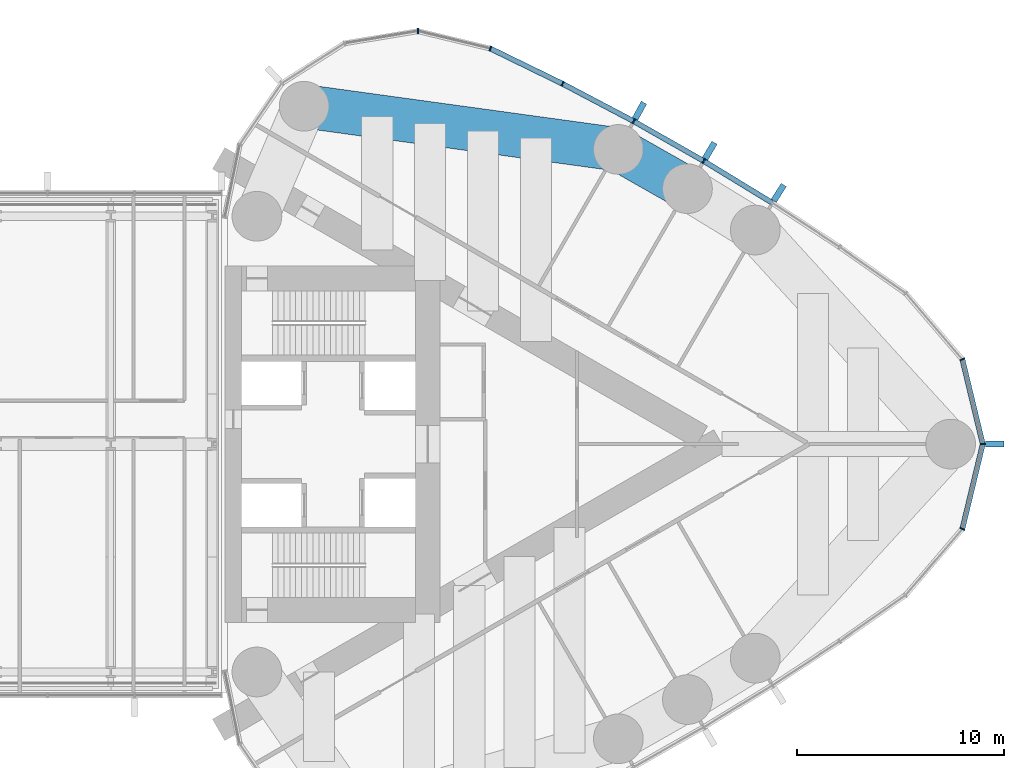
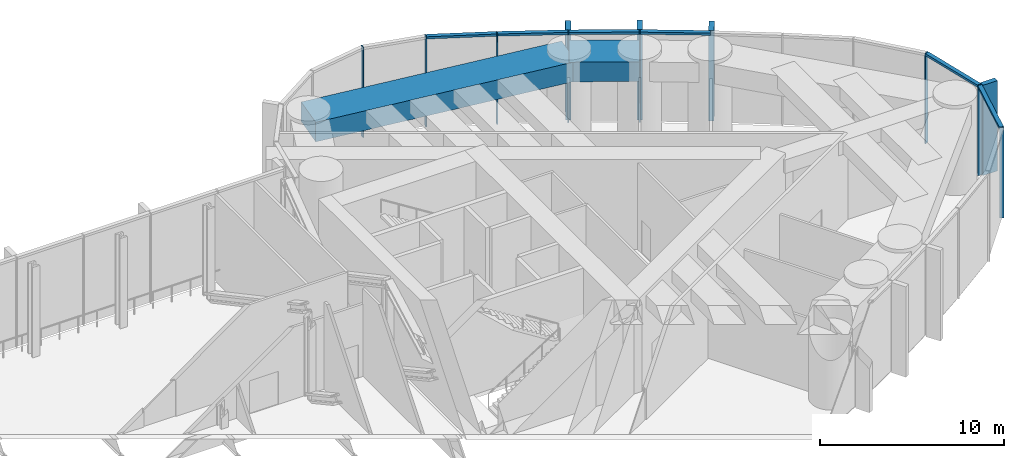
# One storey, part 12 of 21: 18 members, 2 beams, 1 element without a shape of its own.
"""IFC4 building model written with IfcOpenShell, lengths in metres."""

from ifc_helpers import new_model, si_unit, direction, frame, origin, origin_2d, place, context, subcontext, project, spatial, rectangle, extrude, material, material_profile, profile_set, type_object, element, aggregate, save


model = new_model("IFC4")

# Units and contexts
model_context = context("Model", 3, precision=1e-05, world=origin(), true_north=direction((0.0, 1.0)))
body_context = subcontext(model_context, "Body", "Model", "MODEL_VIEW")
ifc_project = project(units=[si_unit("LENGTHUNIT", "METRE"), si_unit("AREAUNIT", "SQUARE_METRE"), si_unit("VOLUMEUNIT", "CUBIC_METRE"), si_unit("PLANEANGLEUNIT", "RADIAN"), si_unit("MASSUNIT", "GRAM", prefix="KILO")], contexts=[model_context])

# Site, building, storey
site_placement = place(None, origin())
site = spatial("IfcSite", under=ifc_project, at=site_placement, CompositionType="ELEMENT")
building_placement = place(site_placement, origin())
building = spatial("IfcBuilding", under=site, at=building_placement, Name="Lancet Gate Hotel", CompositionType="ELEMENT")
storey_placement = place(building_placement, frame((0.0, 0.0, 257.300048828125)))
storey = spatial("IfcBuildingStorey", under=building, at=storey_placement, Name="L68", CompositionType="ELEMENT", Elevation=257.300048828125)

# Curtain wall, members
ifc_material_1 = material(Name="Aluminium curtain wall", Category="aluminium")
curtain_wall_type = type_object("IfcCurtainWallType", Name="Sky deck full-height glazing", PredefinedType="USERDEFINED", material=ifc_material_1)
curtain_wall_placement = place(storey_placement, origin())
curtain_wall = element("IfcCurtainWall", 1, at=curtain_wall_placement, inside=storey, type_object=curtain_wall_type, Name="T2 L68 curtain wall 1", ObjectType="UNITISED CURTAIN WALL", PredefinedType="USERDEFINED")
ifc_material_2 = material(Name="Aluminium mullion", Category="aluminium")
ifc_material_profile_1 = material_profile(ifc_material_2, rectangle(XDim=0.06494140625, YDim=0.25, at=origin_2d()), Name="MULLION 65x250")
ifc_profile_set_1 = profile_set([ifc_material_profile_1], Name="Aluminium mullion")
member_type_1 = type_object("IfcMemberType", Name="Aluminium mullion 65x250", PredefinedType="MULLION", material=ifc_profile_set_1)
member_1_placement = place(storey_placement, frame((63.1064453125, -4.09375, 0.0), z_axis=(0.0, 0.0, 1.0), x_axis=(0.454852851296, 0.890566608215, 0.0)))
member_1 = element("IfcMember", 2, at=member_1_placement, type_object=member_type_1, Name="T2 L68 curtain wall 1 mullion 13", PredefinedType="MULLION", context=body_context, shape_type="SweptSolid", body=[
    extrude(rectangle(XDim=0.06494140625, YDim=0.25, at=origin_2d()), origin(), (0.0, 0.0, 1.0), 6.0),
])
member_2_placement = place(storey_placement, frame((64.09130859375, 0.0, 0.0), z_axis=(0.0, 0.0, 1.0), x_axis=(0.0, 1.0, 0.0)))
member_2 = element("IfcMember", 3, at=member_2_placement, type_object=member_type_1, Name="T2 L68 curtain wall 1 mullion 14", PredefinedType="MULLION", context=body_context, shape_type="SweptSolid", body=[
    extrude(rectangle(XDim=0.06494140625, YDim=0.25, at=origin_2d()), origin(), (0.0, 0.0, 1.0), 6.0),
])
member_3_placement = place(storey_placement, frame((63.1064453125, 4.09375, 0.0), z_axis=(0.0, 0.0, 1.0), x_axis=(-0.454852851296, 0.890566608215, 0.0)))
member_3 = element("IfcMember", 4, at=member_3_placement, type_object=member_type_1, Name="T2 L68 curtain wall 1 mullion 15", PredefinedType="MULLION", context=body_context, shape_type="SweptSolid", body=[
    extrude(rectangle(XDim=0.06494140625, YDim=0.25, at=origin_2d()), origin(), (0.0, 0.0, 1.0), 6.0),
])
member_4_placement = place(storey_placement, frame((50.62060546875, 13.667236328125, 0.0), z_axis=(0.0, 0.0, 1.0), x_axis=(-0.861691755738, 0.507432082247, 0.0)))
member_4 = element("IfcMember", 5, at=member_4_placement, type_object=member_type_1, Name="T2 L68 curtain wall 1 mullion 19", PredefinedType="MULLION", context=body_context, shape_type="SweptSolid", body=[
    extrude(rectangle(XDim=0.06494140625, YDim=0.25, at=origin_2d()), origin(), (0.0, 0.0, 1.0), 6.0),
])
member_5_placement = place(storey_placement, frame((47.24365234375, 15.585205078125, 0.0), z_axis=(0.0, 0.0, 1.0), x_axis=(-0.877194589488, 0.480135035352, 0.0)))
member_5 = element("IfcMember", 6, at=member_5_placement, type_object=member_type_1, Name="T2 L68 curtain wall 1 mullion 20", PredefinedType="MULLION", context=body_context, shape_type="SweptSolid", body=[
    extrude(rectangle(XDim=0.06494140625, YDim=0.25, at=origin_2d()), origin(), (0.0, 0.0, 1.0), 6.0),
])
member_6_placement = place(storey_placement, frame((43.80810546875, 17.396240234375, 0.0), z_axis=(0.0, 0.0, 1.0), x_axis=(-0.891832977257, 0.452364831389, 0.0)))
member_6 = element("IfcMember", 7, at=member_6_placement, type_object=member_type_1, Name="T2 L68 curtain wall 1 mullion 21", PredefinedType="MULLION", context=body_context, shape_type="SweptSolid", body=[
    extrude(rectangle(XDim=0.06494140625, YDim=0.25, at=origin_2d()), origin(), (0.0, 0.0, 1.0), 6.0),
])
member_7_placement = place(storey_placement, frame((40.3173828125, 19.098388671875, 0.0), z_axis=(0.0, 0.0, 1.0), x_axis=(-0.939483740419, 0.342593493061, 0.0)))
member_7 = element("IfcMember", 8, at=member_7_placement, type_object=member_type_1, Name="T2 L68 curtain wall 1 mullion 22", PredefinedType="MULLION", context=body_context, shape_type="SweptSolid", body=[
    extrude(rectangle(XDim=0.06494140625, YDim=0.25, at=origin_2d()), origin(), (0.0, 0.0, 1.0), 6.0),
])
member_8_placement = place(storey_placement, frame((36.826171875, 19.942138671875, 0.0), z_axis=(0.0, 0.0, 1.0), x_axis=(-0.999342744911, 0.03625021647, 0.0)))
member_8 = element("IfcMember", 9, at=member_8_placement, type_object=member_type_1, Name="T2 L68 curtain wall 1 mullion 23", PredefinedType="MULLION", context=body_context, shape_type="SweptSolid", body=[
    extrude(rectangle(XDim=0.06494140625, YDim=0.25, at=origin_2d()), origin(), (0.0, 0.0, 1.0), 6.0),
])
ifc_material_3 = material(Name="Aluminium transom", Category="aluminium")
ifc_material_profile_2 = material_profile(ifc_material_3, rectangle(XDim=0.25, YDim=0.14990234375, at=origin_2d()), Name="TRANSOM 250x150")
ifc_profile_set_2 = profile_set([ifc_material_profile_2], Name="Aluminium transom")
member_type_2 = type_object("IfcMemberType", Name="Aluminium transom 250x150", PredefinedType="USERDEFINED", material=ifc_profile_set_2)
member_9_placement = place(storey_placement, frame((63.114013671875, -4.06201171875, 5.925048828125), z_axis=(0.233920855872, 0.972255641891, 0.0), x_axis=(-0.972255641891, 0.233920855872, 0.0)))
member_9 = element("IfcMember", 10, at=member_9_placement, type_object=member_type_2, Name="T2 L68 curtain wall 1 transom 13", ObjectType="TRANSOM", PredefinedType="USERDEFINED", context=body_context, shape_type="SweptSolid", body=[
    extrude(rectangle(XDim=0.25, YDim=0.14990234375, at=origin_2d()), origin(), (0.0, 0.0, 1.0), 4.1455078125),
])
member_10_placement = place(storey_placement, frame((64.083740234375, 0.031494140625, 5.925048828125), z_axis=(-0.233920855872, 0.972255641891, 0.0), x_axis=(-0.972255641891, -0.233920855872, 0.0)))
member_10 = element("IfcMember", 11, at=member_10_placement, type_object=member_type_2, Name="T2 L68 curtain wall 1 transom 14", ObjectType="TRANSOM", PredefinedType="USERDEFINED", context=body_context, shape_type="SweptSolid", body=[
    extrude(rectangle(XDim=0.25, YDim=0.14990234375, at=origin_2d()), origin(), (0.0, 0.0, 1.0), 4.1455078125),
])
member_11_placement = place(storey_placement, frame((53.907958984375, 11.661376953125, 5.925048828125), z_axis=(-0.853638798527, 0.520865435261, 0.0), x_axis=(-0.520865435261, -0.853638798527, 0.0)))
member_11 = element("IfcMember", 12, at=member_11_placement, type_object=member_type_2, Name="T2 L68 curtain wall 1 transom 18", ObjectType="TRANSOM", PredefinedType="USERDEFINED", context=body_context, shape_type="SweptSolid", body=[
    extrude(rectangle(XDim=0.25, YDim=0.14990234375, at=origin_2d()), origin(), (0.0, 0.0, 1.0), 3.818603515625),
])
member_12_placement = place(storey_placement, frame((50.59228515625, 13.683349609375, 5.925048828125), z_axis=(-0.869562011924, 0.493823761496, 0.0), x_axis=(-0.493823761496, -0.869562011924, 0.0)))
member_12 = element("IfcMember", 13, at=member_12_placement, type_object=member_type_2, Name="T2 L68 curtain wall 1 transom 19", ObjectType="TRANSOM", PredefinedType="USERDEFINED", context=body_context, shape_type="SweptSolid", body=[
    extrude(rectangle(XDim=0.25, YDim=0.14990234375, at=origin_2d()), origin(), (0.0, 0.0, 1.0), 3.818603515625),
])
member_13_placement = place(storey_placement, frame((47.21484375, 15.600341796875, 5.925048828125), z_axis=(-0.884618491031, 0.466315478325, 0.0), x_axis=(-0.466315478325, -0.884618491031, 0.0)))
member_13 = element("IfcMember", 14, at=member_13_placement, type_object=member_type_2, Name="T2 L68 curtain wall 1 transom 20", ObjectType="TRANSOM", PredefinedType="USERDEFINED", context=body_context, shape_type="SweptSolid", body=[
    extrude(rectangle(XDim=0.25, YDim=0.14990234375, at=origin_2d()), origin(), (0.0, 0.0, 1.0), 3.81884765625),
])
member_14_placement = place(storey_placement, frame((43.77880859375, 17.410400390625, 5.925048828125), z_axis=(-0.898820051991, 0.438317823206, 0.0), x_axis=(-0.438317823206, -0.898820051991, 0.0)))
member_14 = element("IfcMember", 15, at=member_14_placement, type_object=member_type_2, Name="T2 L68 curtain wall 1 transom 21", ObjectType="TRANSOM", PredefinedType="USERDEFINED", context=body_context, shape_type="SweptSolid", body=[
    extrude(rectangle(XDim=0.25, YDim=0.14990234375, at=origin_2d()), origin(), (0.0, 0.0, 1.0), 3.81884765625),
])

# Beams
ifc_material_4 = material(Name="Concrete C50/60", Category="concrete")
ifc_material_profile_3 = material_profile(ifc_material_4, rectangle(XDim=2.10009765625, YDim=1.300048828125, at=origin_2d()), Name="RC 2100x1300")
ifc_profile_set_3 = profile_set([ifc_material_profile_3], Name="Concrete C50/60")
beam_type = type_object("IfcBeamType", Name="Edge beam RC 2100x1300", PredefinedType="SPANDREL", material=ifc_profile_set_3)
beam_1_placement = place(storey_placement, frame((49.833984375, 12.331787109375, 5.099853515625), z_axis=(-0.869560321562, 0.493826738001, 0.0), x_axis=(-0.493826738001, -0.869560321562, 0.0)))
element("IfcBeam", 16, at=beam_1_placement, inside=storey, type_object=beam_type, Name="T2 edge beam EB1 L68", PredefinedType="SPANDREL", context=body_context, shape_type="SweptSolid", body=[
    extrude(rectangle(XDim=2.10009765625, YDim=1.300048828125, at=origin_2d()), origin(), (0.0, 0.0, 1.0), 3.8349609375),
])
beam_2_placement = place(storey_placement, frame((46.499267578125, 14.2255859375, 5.099853515625), z_axis=(-0.990685830783, 0.13616748762, 0.0), x_axis=(-0.13616748762, -0.990685830783, 0.0)))
element("IfcBeam", 17, at=beam_2_placement, inside=storey, type_object=beam_type, Name="T2 edge beam EB1 L68", PredefinedType="SPANDREL", context=body_context, shape_type="SweptSolid", body=[
    extrude(rectangle(XDim=2.10009765625, YDim=1.300048828125, at=origin_2d()), origin(), (0.0, 0.0, 1.0), 15.3134765625),
])

# Member
ifc_material_5 = material(Name="Precast concrete C50/60", Category="concrete")
ifc_material_profile_4 = material_profile(ifc_material_5, rectangle(XDim=0.300048828125, YDim=0.89990234375, at=origin_2d()), Name="FIN 300x900")
ifc_profile_set_4 = profile_set([ifc_material_profile_4], Name="Precast concrete C50/60")
member_type_3 = type_object("IfcMemberType", Name="Exposed concrete fin 300x900", PredefinedType="USERDEFINED", material=ifc_profile_set_4)
member_15_placement = place(storey_placement, frame((64.66650390625, 0.0, 0.0), z_axis=(0.0, 0.0, 1.0), x_axis=(0.0, 1.0, 0.0)))
member_15 = element("IfcMember", 18, at=member_15_placement, type_object=member_type_3, Name="T2 L68 curtain wall 1 fin 14", ObjectType="FIN", PredefinedType="USERDEFINED", context=body_context, shape_type="SweptSolid", body=[
    extrude(rectangle(XDim=0.300048828125, YDim=0.89990234375, at=origin_2d()), origin(), (0.0, 0.0, 1.0), 6.0),
])

member_16_placement = place(storey_placement, frame((54.242919921875, 12.13037109375, 0.0), z_axis=(0.0, 0.0, 1.0), x_axis=(-0.845339753513, 0.534229071777, 0.0)))
member_16 = element("IfcMember", 19, at=member_16_placement, type_object=member_type_3, Name="T2 L68 curtain wall 1 fin 18", ObjectType="FIN", PredefinedType="USERDEFINED", context=body_context, shape_type="SweptSolid", body=[
    extrude(rectangle(XDim=0.300048828125, YDim=0.89990234375, at=origin_2d()), origin(), (0.0, 0.0, 1.0), 6.0),
])

member_17_placement = place(storey_placement, frame((50.912353515625, 14.162841796875, 0.0), z_axis=(0.0, 0.0, 1.0), x_axis=(-0.861691755738, 0.507432082247, 0.0)))
member_17 = element("IfcMember", 20, at=member_17_placement, type_object=member_type_3, Name="T2 L68 curtain wall 1 fin 19", ObjectType="FIN", PredefinedType="USERDEFINED", context=body_context, shape_type="SweptSolid", body=[
    extrude(rectangle(XDim=0.300048828125, YDim=0.89990234375, at=origin_2d()), origin(), (0.0, 0.0, 1.0), 6.0),
])

member_18_placement = place(storey_placement, frame((47.51953125, 16.089599609375, 0.0), z_axis=(0.0, 0.0, 1.0), x_axis=(-0.877194589488, 0.480135035352, 0.0)))
member_18 = element("IfcMember", 21, at=member_18_placement, type_object=member_type_3, Name="T2 L68 curtain wall 1 fin 20", ObjectType="FIN", PredefinedType="USERDEFINED", context=body_context, shape_type="SweptSolid", body=[
    extrude(rectangle(XDim=0.300048828125, YDim=0.89990234375, at=origin_2d()), origin(), (0.0, 0.0, 1.0), 6.0),
])

aggregate(curtain_wall, [member_1, member_2, member_15, member_3, member_16, member_4, member_17, member_5, member_18, member_6, member_7, member_8, member_9, member_10, member_11, member_12, member_13, member_14])

save(model, "model.ifc")
